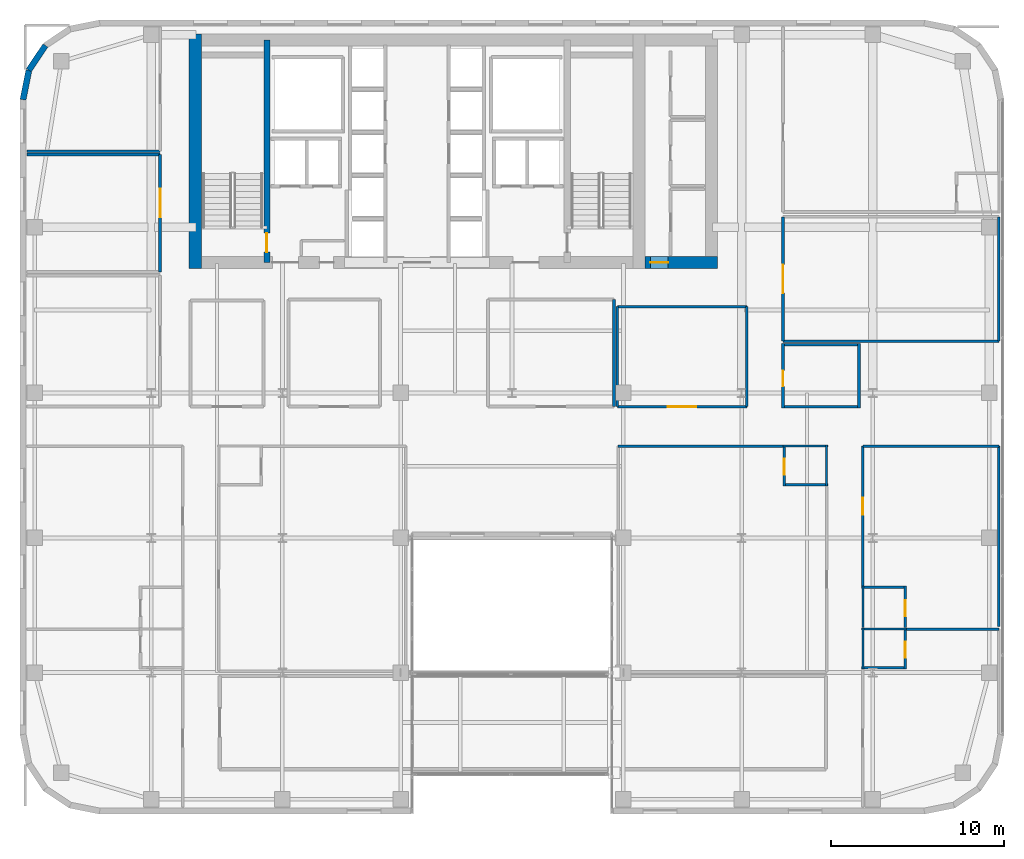
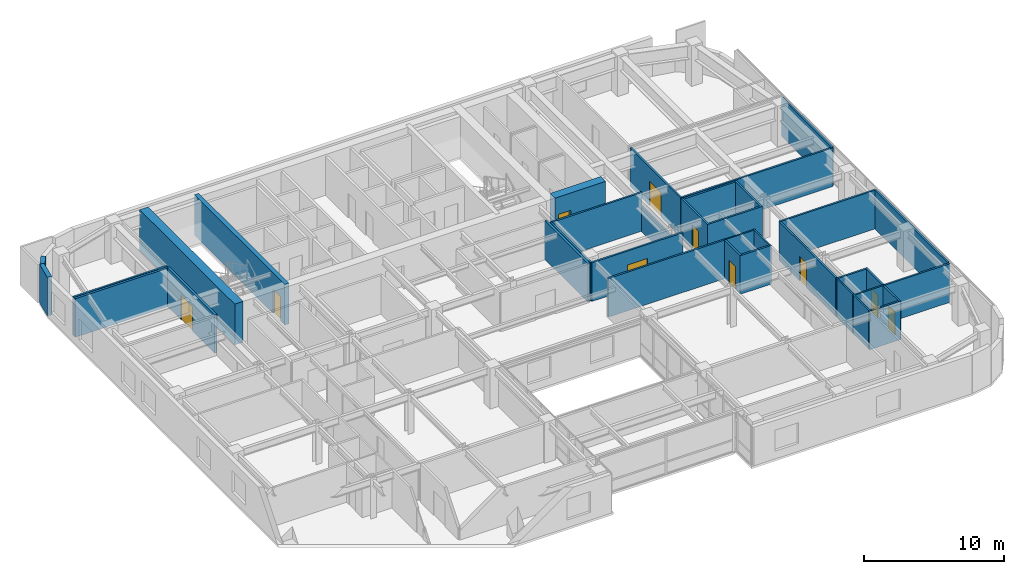
# One storey, part 20 of 25: 36 walls, 10 doors, 10 openings.
"""IFC4 building model written with IfcOpenShell, lengths in metres."""

from ifc_helpers import new_model, si_unit, direction, frame, frame_2d, origin, place, context, subcontext, project, spatial, rectangle, extrude, source, transform, mapped, material, layer, layer_set, type_object, type_shapes, element, fill, save


model = new_model("IFC4")

# Units and contexts
model_context = context("Model", 3, precision=1e-05, world=origin(), true_north=direction((0.0, 1.0)))
body_context = subcontext(model_context, "Body", "Model", "MODEL_VIEW")
ifc_project = project(units=[si_unit("LENGTHUNIT", "METRE"), si_unit("AREAUNIT", "SQUARE_METRE"), si_unit("VOLUMEUNIT", "CUBIC_METRE"), si_unit("PLANEANGLEUNIT", "RADIAN"), si_unit("MASSUNIT", "GRAM", prefix="KILO")], contexts=[model_context])

# Site, building, storey
site_placement = place(None, origin())
site = spatial("IfcSite", under=ifc_project, at=site_placement, CompositionType="ELEMENT")
building_placement = place(site_placement, origin())
building = spatial("IfcBuilding", under=site, at=building_placement, Name="Tolvann Quenvar Hotel", CompositionType="ELEMENT")
storey_placement = place(building_placement, frame((0.0, 0.0, 122.199951171875)))
storey = spatial("IfcBuildingStorey", under=building, at=storey_placement, Name="L31", CompositionType="ELEMENT", Elevation=122.199951171875)

# Wall
ifc_material_1 = material(Name="Concrete S65 (65 MPa)", Category="concrete")
ifc_layer_1 = layer(ifc_material_1, 0.699951171875)
ifc_layer_set_1 = layer_set([ifc_layer_1], Name="Concrete S65 (65 MPa)")
wall_type_1 = type_object("IfcWallType", Name="WALL_CORE_700", PredefinedType="SHEAR", material=ifc_layer_set_1)
wall_1_placement = place(storey_placement, frame((10.14990234375, 31.60009765625, 0.0), z_axis=(0.0, 0.0, 1.0), x_axis=(0.0, 1.0, 0.0)))
element("IfcWall", 1, at=wall_1_placement, inside=storey, type_object=wall_type_1, Name="Rear Core W Shear Wall (L31)", PredefinedType="SHEAR", context=body_context, shape_type="SweptSolid", body=[
    extrude(rectangle(XDim=13.599853515625, YDim=0.699951171875, at=frame_2d((6.7998046875, 0.0))), origin(), (0.0, 0.0, 1.0), 3.550048828125),
])

# Wall, opening, door
wall_2_placement = place(storey_placement, frame((36.199951171875, 31.949951171875, 0.0), z_axis=(0.0, 0.0, 1.0), x_axis=(1.0, 0.0, 0.0)))
wall_2 = element("IfcWall", 2, at=wall_2_placement, inside=storey, type_object=wall_type_1, Name="Core East Annex Shear Wall ANN-S (L31)", PredefinedType="SHEAR", context=body_context, shape_type="SweptSolid", body=[
    extrude(rectangle(XDim=4.199951171875, YDim=0.699951171875, at=frame_2d((2.10009765625, 0.0))), origin(), (0.0, 0.0, 1.0), 3.550048828125),
])
opening_1_placement = place(wall_2_placement, frame((1.340087890625, 0.0, 0.0), z_axis=(0.0, 0.0, 1.0), x_axis=(-1.0, 0.0, 0.0)))
opening_1 = element("IfcOpeningElement", 3, at=opening_1_placement, cuts=wall_2, Name="Opening HD-01", PredefinedType="OPENING", context=body_context, shape_type="SweptSolid", body=[
    extrude(rectangle(XDim=1.02001953125, YDim=2.030029296875, at=frame_2d((0.510009765625, 1.01513671875))), frame((0.0, 0.35986328125, 0.0), z_axis=(0.0, -1.0, 0.0), x_axis=(1.0, 0.0, 0.0)), (0.0, 0.0, 1.0), 0.719970703125),
])
ifc_material_2 = material(Name="Pressed galvanised steel fire-rated door set", Category="steel")
door_type_1 = type_object("IfcDoorType", Name="DOOR_BOH_1020", OperationType="NOTDEFINED", PredefinedType="DOOR", material=ifc_material_2)
shared_shape_1 = source(origin(), body_context, "Body", "SweptSolid", [
    extrude(rectangle(XDim=1.02001953125, YDim=2.030029296875, at=frame_2d((0.510009765625, 1.01513671875))), frame((0.0, 0.02490234375, 0.0), z_axis=(0.0, -1.0, 0.0), x_axis=(1.0, 0.0, 0.0)), (0.0, 0.0, 1.0), 0.050048828125),
])
type_shapes(door_type_1, [shared_shape_1])
door_1_placement = place(opening_1_placement, origin())
door_1 = element("IfcDoor", 4, at=door_1_placement, inside=storey, type_object=door_type_1, Name="Housekeeping Annex Fire Door (L31)", OperationType="SINGLE_SWING_RIGHT", OverallHeight=2.030029296875, OverallWidth=1.02001953125, PredefinedType="DOOR", context=body_context, shape_type="MappedRepresentation", body=[
    mapped(shared_shape_1, transform((0.0, 0.0, 0.0), x_axis=(1.0, 0.0, 0.0), y_axis=(0.0, 1.0, 0.0), z_axis=(0.0, 0.0, 1.0), scale=1.0)),
])
fill(opening_1, door_1)

ifc_layer_2 = layer(ifc_material_1, 0.35009765625)
ifc_layer_set_2 = layer_set([ifc_layer_2], Name="Concrete S65 (65 MPa)")
wall_type_2 = type_object("IfcWallType", Name="WALL_CORE_INT_350", PredefinedType="SHEAR", material=ifc_layer_set_2)
wall_3_placement = place(storey_placement, frame((14.300048828125, 31.949951171875, 0.0), z_axis=(0.0, 0.0, 1.0), x_axis=(0.0, 1.0, 0.0)))
wall_3 = element("IfcWall", 5, at=wall_3_placement, inside=storey, type_object=wall_type_2, Name="Core Internal Web Shear Wall WEB-W (L31)", PredefinedType="SHEAR", context=body_context, shape_type="SweptSolid", body=[
    extrude(rectangle(XDim=12.900146484375, YDim=0.35009765625, at=frame_2d((6.4501953125, 0.0))), origin(), (0.0, 0.0, 1.0), 3.550048828125),
])
opening_2_placement = place(wall_3_placement, frame((0.60009765625, 0.0, 0.0)))
opening_2 = element("IfcOpeningElement", 6, at=opening_2_placement, cuts=wall_3, Name="Opening FD-120", PredefinedType="OPENING", context=body_context, shape_type="SweptSolid", body=[
    extrude(rectangle(XDim=1.10009765625, YDim=2.1201171875, at=frame_2d((0.550048828125, 1.06005859375))), frame((0.0, 0.18505859375, 0.0), z_axis=(0.0, -1.0, 0.0), x_axis=(1.0, 0.0, 0.0)), (0.0, 0.0, 1.0), 0.3701171875),
])
door_type_2 = type_object("IfcDoorType", Name="DOOR_FIRE_STAIR_1100", OperationType="NOTDEFINED", PredefinedType="DOOR", material=ifc_material_2)
shared_shape_2 = source(origin(), body_context, "Body", "SweptSolid", [
    extrude(rectangle(XDim=1.10009765625, YDim=2.1201171875, at=frame_2d((0.550048828125, 1.06005859375))), frame((0.0, 0.02490234375, 0.0), z_axis=(0.0, -1.0, 0.0), x_axis=(1.0, 0.0, 0.0)), (0.0, 0.0, 1.0), 0.050048828125),
])
type_shapes(door_type_2, [shared_shape_2])
door_2_placement = place(opening_2_placement, origin())
door_2 = element("IfcDoor", 7, at=door_2_placement, inside=storey, type_object=door_type_2, Name="Exit Stair ST-C1 Fire Door (L31)", OperationType="SINGLE_SWING_LEFT", OverallHeight=2.1201171875, OverallWidth=1.10009765625, PredefinedType="DOOR", context=body_context, shape_type="MappedRepresentation", body=[
    mapped(shared_shape_2, transform((0.0, 0.0, 0.0), x_axis=(1.0, 0.0, 0.0), y_axis=(0.0, 1.0, 0.0), z_axis=(0.0, 0.0, 1.0), scale=1.0)),
])
fill(opening_2, door_2)

# Walls
ifc_material_3 = material(Name="Kiln-fired red and buff architectural clay brickwork and terracotta masonry", Category="masonry")
ifc_layer_3 = layer(ifc_material_3, 0.35009765625)
ifc_layer_set_3 = layer_set([ifc_layer_3], Name="Kiln-fired red and buff architectural clay brickwork and terracotta masonry")
wall_type_3 = type_object("IfcWallType", Name="WALL_EXT_BRICK_350", PredefinedType="SOLIDWALL", material=ifc_layer_set_3)
wall_4_placement = place(storey_placement, frame((1.473388671875, 44.526611328125, 0.0), z_axis=(0.0, 0.0, 1.0), x_axis=(-0.55554893791, -0.831483840845, 0.0)))
element("IfcWall", 8, at=wall_4_placement, inside=storey, type_object=wall_type_3, Name="Exterior Chicago Brick Wall L31-E21", PredefinedType="SOLIDWALL", context=body_context, shape_type="SweptSolid", body=[
    extrude(rectangle(XDim=1.725341796875, YDim=0.35009765625, at=frame_2d((0.86279296875, 0.0))), origin(), (0.0, 0.0, 1.0), 2.83203125),
])
wall_5_placement = place(storey_placement, frame((0.514892578125, 43.092041015625, 0.0), z_axis=(0.0, 0.0, 1.0), x_axis=(-0.195011420161, -0.980800971659, 0.0)))
element("IfcWall", 9, at=wall_5_placement, inside=storey, type_object=wall_type_3, Name="Exterior Chicago Brick Wall L31-E22", PredefinedType="SOLIDWALL", context=body_context, shape_type="SweptSolid", body=[
    extrude(rectangle(XDim=1.74267578125, YDim=0.35009765625, at=frame_2d((0.871337890625, 0.0))), origin(), (0.0, 0.0, 1.0), 3.3701171875),
])
ifc_material_4 = material(Name="Acoustic twin-stud fire-rated gypsum plasterboard partition")
ifc_layer_4 = layer(ifc_material_4, 0.179931640625)
ifc_layer_set_4 = layer_set([ifc_layer_4], Name="Acoustic twin-stud fire-rated gypsum plasterboard partition")
wall_type_4 = type_object("IfcWallType", Name="WALL_PART_ACOUSTIC_180", PredefinedType="PARTITIONING", material=ifc_layer_set_4)
wall_6_placement = place(storey_placement, frame((0.405029296875, 38.199951171875, 0.0), z_axis=(0.0, 0.0, 1.0), x_axis=(1.0, 0.0, 0.0)))
element("IfcWall", 10, at=wall_6_placement, inside=storey, type_object=wall_type_4, Name="Interior Partition PT-SPC-L31-MTG-N", PredefinedType="PARTITIONING", context=body_context, shape_type="SweptSolid", body=[
    extrude(rectangle(XDim=7.715087890625, YDim=0.179931640625, at=frame_2d((3.857421875, 0.0))), origin(), (0.0, 0.0, 1.0), 3.3701171875),
])

# Wall, opening, door
wall_7_placement = place(storey_placement, frame((8.1201171875, 31.39990234375, 0.0), z_axis=(0.0, 0.0, 1.0), x_axis=(0.0, 1.0, 0.0)))
wall_7 = element("IfcWall", 11, at=wall_7_placement, inside=storey, type_object=wall_type_4, Name="Interior Partition PT-SPC-L31-MTG-E", PredefinedType="PARTITIONING", context=body_context, shape_type="SweptSolid", body=[
    extrude(rectangle(XDim=6.800048828125, YDim=0.179931640625, at=frame_2d((3.39990234375, 0.0))), origin(), (0.0, 0.0, 1.0), 3.3701171875),
])
opening_3_placement = place(wall_7_placement, frame((3.175048828125, 0.0, 0.0)))
opening_3 = element("IfcOpeningElement", 12, at=opening_3_placement, cuts=wall_7, Name="Opening AD-01", PredefinedType="OPENING", context=body_context, shape_type="SweptSolid", body=[
    extrude(rectangle(XDim=1.64990234375, YDim=2.14990234375, at=frame_2d((0.824951171875, 1.074951171875))), frame((0.0, 0.10009765625, 0.0), z_axis=(0.0, -1.0, 0.0), x_axis=(1.0, 0.0, 0.0)), (0.0, 0.0, 1.0), 0.199951171875),
])
ifc_material_5 = material(Name="Solid-core American oak acoustic fire door leaf in steel frame", Category="steel")
door_type_3 = type_object("IfcDoorType", Name="DOOR_SALON_1650", OperationType="NOTDEFINED", PredefinedType="DOOR", material=ifc_material_5)
shared_shape_3 = source(origin(), body_context, "Body", "SweptSolid", [
    extrude(rectangle(XDim=1.64990234375, YDim=2.14990234375, at=frame_2d((0.824951171875, 1.074951171875))), frame((0.0, 0.02490234375, 0.0), z_axis=(0.0, -1.0, 0.0), x_axis=(1.0, 0.0, 0.0)), (0.0, 0.0, 1.0), 0.050048828125),
])
type_shapes(door_type_3, [shared_shape_3])
door_3_placement = place(opening_3_placement, origin())
door_3 = element("IfcDoor", 13, at=door_3_placement, inside=storey, type_object=door_type_3, Name="Interior Door DOOR-SPC-L31-MTG", OperationType="DOUBLE_DOOR_SINGLE_SWING", OverallHeight=2.14990234375, OverallWidth=1.64990234375, PredefinedType="DOOR", context=body_context, shape_type="MappedRepresentation", body=[
    mapped(shared_shape_3, transform((0.0, 0.0, 0.0), x_axis=(1.0, 0.0, 0.0), y_axis=(0.0, 1.0, 0.0), z_axis=(0.0, 0.0, 1.0), scale=1.0)),
])
fill(opening_3, door_3)

# Walls
wall_8_placement = place(storey_placement, frame((34.39990234375, 23.60009765625, 0.0), z_axis=(0.0, 0.0, 1.0), x_axis=(0.0, 1.0, 0.0)))
element("IfcWall", 14, at=wall_8_placement, inside=storey, type_object=wall_type_4, Name="Interior Partition PT-SPC-L31-MSP-C-E", PredefinedType="PARTITIONING", context=body_context, shape_type="SweptSolid", body=[
    extrude(rectangle(XDim=6.199951171875, YDim=0.179931640625, at=frame_2d((3.10009765625, 0.0))), origin(), (0.0, 0.0, 1.0), 3.3701171875),
])
ifc_material_6 = material(Name="Moisture-resistant acoustic plumbing wall assembly")
ifc_layer_5 = layer(ifc_material_6, 0.1201171875)
ifc_layer_set_5 = layer_set([ifc_layer_5], Name="Moisture-resistant acoustic plumbing wall assembly")
wall_type_5 = type_object("IfcWallType", Name="WALL_PART_BATH_120", PredefinedType="PLUMBINGWALL", material=ifc_layer_set_5)
wall_9_placement = place(storey_placement, frame((44.2099609375, 21.320068359375, 0.0), z_axis=(0.0, 0.0, 1.0), x_axis=(1.0, 0.0, 0.0)))
element("IfcWall", 15, at=wall_9_placement, inside=storey, type_object=wall_type_5, Name="Non-Rated Plumbing Partition PT-SPC-L31-ENS-EI01-N", PredefinedType="PLUMBINGWALL", context=body_context, shape_type="SweptSolid", body=[
    extrude(rectangle(XDim=2.590087890625, YDim=0.1201171875, at=frame_2d((1.294921875, 0.0))), origin(), (0.0, 0.0, 1.0), 3.3701171875),
])
wall_10_placement = place(storey_placement, frame((46.72998046875, 19.0, 0.0), z_axis=(0.0, 0.0, 1.0), x_axis=(0.0, 1.0, 0.0)))
element("IfcWall", 16, at=wall_10_placement, inside=storey, type_object=wall_type_5, Name="Non-Rated Plumbing Partition PT-SPC-L31-ENS-EI01-E", PredefinedType="PLUMBINGWALL", context=body_context, shape_type="SweptSolid", body=[
    extrude(rectangle(XDim=2.389892578125, YDim=0.1201171875, at=frame_2d((1.19482421875, 0.0))), origin(), (0.0, 0.0, 1.0), 3.3701171875),
])
wall_11_placement = place(storey_placement, frame((48.75, 10.719970703125, 0.0), z_axis=(0.0, 0.0, 1.0), x_axis=(1.0, 0.0, 0.0)))
element("IfcWall", 17, at=wall_11_placement, inside=storey, type_object=wall_type_5, Name="Non-Rated Plumbing Partition PT-SPC-L31-ENS-EO01-N", PredefinedType="PLUMBINGWALL", context=body_context, shape_type="SweptSolid", body=[
    extrude(rectangle(XDim=2.590087890625, YDim=0.1201171875, at=frame_2d((1.294921875, 0.0))), origin(), (0.0, 0.0, 1.0), 3.3701171875),
])
wall_12_placement = place(storey_placement, frame((48.820068359375, 8.39990234375, 0.0), z_axis=(0.0, 0.0, 1.0), x_axis=(0.0, 1.0, 0.0)))
element("IfcWall", 18, at=wall_12_placement, inside=storey, type_object=wall_type_5, Name="Non-Rated Plumbing Partition PT-SPC-L31-ENS-EO01-W", PredefinedType="PLUMBINGWALL", context=body_context, shape_type="SweptSolid", body=[
    extrude(rectangle(XDim=2.39013671875, YDim=0.1201171875, at=frame_2d((1.195068359375, 0.0))), origin(), (0.0, 0.0, 1.0), 3.3701171875),
])
wall_13_placement = place(storey_placement, frame((48.820068359375, 10.81005859375, 0.0), z_axis=(0.0, 0.0, 1.0), x_axis=(0.0, 1.0, 0.0)))
element("IfcWall", 19, at=wall_13_placement, inside=storey, type_object=wall_type_5, Name="Non-Rated Plumbing Partition PT-SPC-L31-ENS-EO02-W", PredefinedType="PLUMBINGWALL", context=body_context, shape_type="SweptSolid", body=[
    extrude(rectangle(XDim=2.389892578125, YDim=0.1201171875, at=frame_2d((1.19482421875, 0.0))), origin(), (0.0, 0.0, 1.0), 3.3701171875),
])

# Wall, opening, door
ifc_layer_6 = layer(ifc_material_4, 0.14990234375)
ifc_layer_set_6 = layer_set([ifc_layer_6], Name="Acoustic twin-stud fire-rated gypsum plasterboard partition")
wall_type_6 = type_object("IfcWallType", Name="WALL_PART_SUITE_150", PredefinedType="PARTITIONING", material=ifc_layer_set_6)
wall_14_placement = place(storey_placement, frame((44.280029296875, 19.0, 0.0), z_axis=(0.0, 0.0, 1.0), x_axis=(0.0, 1.0, 0.0)))
wall_14 = element("IfcWall", 20, at=wall_14_placement, inside=storey, type_object=wall_type_6, Name="Interior Partition PT-SPC-L31-ENS-EI01-ENT", PredefinedType="PARTITIONING", context=body_context, shape_type="SweptSolid", body=[
    extrude(rectangle(XDim=2.389892578125, YDim=0.14990234375, at=frame_2d((1.19482421875, 0.0))), origin(), (0.0, 0.0, 1.0), 3.3701171875),
])
opening_4_placement = place(wall_14_placement, frame((0.6650390625, 0.0, 0.0)))
opening_4 = element("IfcOpeningElement", 21, at=opening_4_placement, cuts=wall_14, Name="Opening WD-01", PredefinedType="OPENING", context=body_context, shape_type="SweptSolid", body=[
    extrude(rectangle(XDim=0.919921875, YDim=2.010009765625, at=frame_2d((0.4599609375, 1.0048828125))), frame((0.0, 0.0849609375, 0.0), z_axis=(0.0, -1.0, 0.0), x_axis=(1.0, 0.0, 0.0)), (0.0, 0.0, 1.0), 0.169921875),
])
door_type_4 = type_object("IfcDoorType", Name="DOOR_WC_920", OperationType="NOTDEFINED", PredefinedType="DOOR", material=ifc_material_5)
shared_shape_4 = source(origin(), body_context, "Body", "SweptSolid", [
    extrude(rectangle(XDim=0.919921875, YDim=2.010009765625, at=frame_2d((0.4599609375, 1.0048828125))), frame((0.0, 0.02490234375, 0.0), z_axis=(0.0, -1.0, 0.0), x_axis=(1.0, 0.0, 0.0)), (0.0, 0.0, 1.0), 0.050048828125),
])
type_shapes(door_type_4, [shared_shape_4])
door_4_placement = place(opening_4_placement, origin())
door_4 = element("IfcDoor", 22, at=door_4_placement, inside=storey, type_object=door_type_4, Name="Interior Door DOOR-SPC-L31-ENS-EI01", OperationType="SINGLE_SWING_RIGHT", OverallHeight=2.010009765625, OverallWidth=0.919921875, PredefinedType="DOOR", context=body_context, shape_type="MappedRepresentation", body=[
    mapped(shared_shape_4, transform((0.0, 0.0, 0.0), x_axis=(1.0, 0.0, 0.0), y_axis=(0.0, 1.0, 0.0), z_axis=(0.0, 0.0, 1.0), scale=1.0)),
])
fill(opening_4, door_4)

# Wall
wall_15_placement = place(storey_placement, frame((44.2099609375, 19.070068359375, 0.0), z_axis=(0.0, 0.0, 1.0), x_axis=(1.0, 0.0, 0.0)))
element("IfcWall", 23, at=wall_15_placement, inside=storey, type_object=wall_type_6, Name="Interior Partition PT-SPC-L31-ENS-EI01-S", PredefinedType="PARTITIONING", context=body_context, shape_type="SweptSolid", body=[
    extrude(rectangle(XDim=2.590087890625, YDim=0.14990234375, at=frame_2d((1.294921875, 0.0))), origin(), (0.0, 0.0, 1.0), 3.3701171875),
])

# Wall, opening, door
wall_16_placement = place(storey_placement, frame((51.27001953125, 8.39990234375, 0.0), z_axis=(0.0, 0.0, 1.0), x_axis=(0.0, 1.0, 0.0)))
wall_16 = element("IfcWall", 24, at=wall_16_placement, inside=storey, type_object=wall_type_6, Name="Interior Partition PT-SPC-L31-ENS-EO01-ENT", PredefinedType="PARTITIONING", context=body_context, shape_type="SweptSolid", body=[
    extrude(rectangle(XDim=2.39013671875, YDim=0.14990234375, at=frame_2d((1.195068359375, 0.0))), origin(), (0.0, 0.0, 1.0), 3.3701171875),
])
opening_5_placement = place(wall_16_placement, frame((0.6650390625, 0.0, 0.0)))
opening_5 = element("IfcOpeningElement", 25, at=opening_5_placement, cuts=wall_16, Name="Opening WD-01", PredefinedType="OPENING", context=body_context, shape_type="SweptSolid", body=[
    extrude(rectangle(XDim=0.919921875, YDim=2.010009765625, at=frame_2d((0.4599609375, 1.0048828125))), frame((0.0, 0.0849609375, 0.0), z_axis=(0.0, -1.0, 0.0), x_axis=(1.0, 0.0, 0.0)), (0.0, 0.0, 1.0), 0.169921875),
])
door_5_placement = place(opening_5_placement, origin())
door_5 = element("IfcDoor", 26, at=door_5_placement, inside=storey, type_object=door_type_4, Name="Interior Door DOOR-SPC-L31-ENS-EO01", OperationType="SINGLE_SWING_LEFT", OverallHeight=2.010009765625, OverallWidth=0.919921875, PredefinedType="DOOR", context=body_context, shape_type="MappedRepresentation", body=[
    mapped(shared_shape_4, transform((0.0, 0.0, 0.0), x_axis=(1.0, 0.0, 0.0), y_axis=(0.0, 1.0, 0.0), z_axis=(0.0, 0.0, 1.0), scale=1.0)),
])
fill(opening_5, door_5)

# Wall
wall_17_placement = place(storey_placement, frame((48.75, 8.469970703125, 0.0), z_axis=(0.0, 0.0, 1.0), x_axis=(1.0, 0.0, 0.0)))
element("IfcWall", 27, at=wall_17_placement, inside=storey, type_object=wall_type_6, Name="Interior Partition PT-SPC-L31-ENS-EO01-S", PredefinedType="PARTITIONING", context=body_context, shape_type="SweptSolid", body=[
    extrude(rectangle(XDim=2.590087890625, YDim=0.14990234375, at=frame_2d((1.294921875, 0.0))), origin(), (0.0, 0.0, 1.0), 3.3701171875),
])

# Wall, opening, door
wall_18_placement = place(storey_placement, frame((51.27001953125, 10.81005859375, 0.0), z_axis=(0.0, 0.0, 1.0), x_axis=(0.0, 1.0, 0.0)))
wall_18 = element("IfcWall", 28, at=wall_18_placement, inside=storey, type_object=wall_type_6, Name="Interior Partition PT-SPC-L31-ENS-EO02-ENT", PredefinedType="PARTITIONING", context=body_context, shape_type="SweptSolid", body=[
    extrude(rectangle(XDim=2.389892578125, YDim=0.14990234375, at=frame_2d((1.19482421875, 0.0))), origin(), (0.0, 0.0, 1.0), 3.3701171875),
])
opening_6_placement = place(wall_18_placement, frame((0.6650390625, 0.0, 0.0)))
opening_6 = element("IfcOpeningElement", 29, at=opening_6_placement, cuts=wall_18, Name="Opening WD-01", PredefinedType="OPENING", context=body_context, shape_type="SweptSolid", body=[
    extrude(rectangle(XDim=0.919921875, YDim=2.010009765625, at=frame_2d((0.4599609375, 1.0048828125))), frame((0.0, 0.0849609375, 0.0), z_axis=(0.0, -1.0, 0.0), x_axis=(1.0, 0.0, 0.0)), (0.0, 0.0, 1.0), 0.169921875),
])
door_6_placement = place(opening_6_placement, origin())
door_6 = element("IfcDoor", 30, at=door_6_placement, inside=storey, type_object=door_type_4, Name="Interior Door DOOR-SPC-L31-ENS-EO02", OperationType="SINGLE_SWING_RIGHT", OverallHeight=2.010009765625, OverallWidth=0.919921875, PredefinedType="DOOR", context=body_context, shape_type="MappedRepresentation", body=[
    mapped(shared_shape_4, transform((0.0, 0.0, 0.0), x_axis=(1.0, 0.0, 0.0), y_axis=(0.0, 1.0, 0.0), z_axis=(0.0, 0.0, 1.0), scale=1.0)),
])
fill(opening_6, door_6)

# Walls
wall_19_placement = place(storey_placement, frame((48.75, 13.1298828125, 0.0), z_axis=(0.0, 0.0, 1.0), x_axis=(1.0, 0.0, 0.0)))
element("IfcWall", 31, at=wall_19_placement, inside=storey, type_object=wall_type_6, Name="Interior Partition PT-SPC-L31-ENS-EO02-N", PredefinedType="PARTITIONING", context=body_context, shape_type="SweptSolid", body=[
    extrude(rectangle(XDim=2.590087890625, YDim=0.14990234375, at=frame_2d((1.294921875, 0.0))), origin(), (0.0, 0.0, 1.0), 3.3701171875),
])
wall_20_placement = place(storey_placement, frame((34.64990234375, 21.320068359375, 0.0), z_axis=(0.0, 0.0, 1.0), x_axis=(1.0, 0.0, 0.0)))
element("IfcWall", 32, at=wall_20_placement, inside=storey, type_object=wall_type_6, Name="Interior Partition PT-SPC-L31-RM-EI01-E5", PredefinedType="PARTITIONING", context=body_context, shape_type="SweptSolid", body=[
    extrude(rectangle(XDim=9.610107421875, YDim=0.14990234375, at=frame_2d((4.80517578125, 0.0))), origin(), (0.0, 0.0, 1.0), 3.3701171875),
])
wall_21_placement = place(storey_placement, frame((51.2900390625, 10.719970703125, 0.0), z_axis=(0.0, 0.0, 1.0), x_axis=(1.0, 0.0, 0.0)))
element("IfcWall", 33, at=wall_21_placement, inside=storey, type_object=wall_type_6, Name="Interior Partition PT-SPC-L31-RM-EO01-E3", PredefinedType="PARTITIONING", context=body_context, shape_type="SweptSolid", body=[
    extrude(rectangle(XDim=5.409912109375, YDim=0.14990234375, at=frame_2d((2.705078125, 0.0))), origin(), (0.0, 0.0, 1.0), 3.3701171875),
])

# Wall, opening, door
wall_22_placement = place(storey_placement, frame((48.820068359375, 13.2099609375, 0.0), z_axis=(0.0, 0.0, 1.0), x_axis=(0.0, 1.0, 0.0)))
wall_22 = element("IfcWall", 34, at=wall_22_placement, inside=storey, type_object=wall_type_6, Name="Interior Partition PT-SPC-L31-RM-EO02-ENT", PredefinedType="PARTITIONING", context=body_context, shape_type="SweptSolid", body=[
    extrude(rectangle(XDim=8.110107421875, YDim=0.14990234375, at=frame_2d((4.05517578125, 0.0))), origin(), (0.0, 0.0, 1.0), 3.3701171875),
])
opening_7_placement = place(wall_22_placement, frame((4.14501953125, 0.0, 0.0)))
opening_7 = element("IfcOpeningElement", 35, at=opening_7_placement, cuts=wall_22, Name="Opening SD-01", PredefinedType="OPENING", context=body_context, shape_type="SweptSolid", body=[
    extrude(rectangle(XDim=0.97998046875, YDim=2.1201171875, at=frame_2d((0.489990234375, 1.06005859375))), frame((0.0, 0.0849609375, 0.0), z_axis=(0.0, -1.0, 0.0), x_axis=(1.0, 0.0, 0.0)), (0.0, 0.0, 1.0), 0.169921875),
])
door_type_5 = type_object("IfcDoorType", Name="DOOR_SUITE_980", OperationType="NOTDEFINED", PredefinedType="DOOR", material=ifc_material_5)
shared_shape_5 = source(origin(), body_context, "Body", "SweptSolid", [
    extrude(rectangle(XDim=0.97998046875, YDim=2.1201171875, at=frame_2d((0.489990234375, 1.06005859375))), frame((0.0, 0.02490234375, 0.0), z_axis=(0.0, -1.0, 0.0), x_axis=(1.0, 0.0, 0.0)), (0.0, 0.0, 1.0), 0.050048828125),
])
type_shapes(door_type_5, [shared_shape_5])
door_7_placement = place(opening_7_placement, origin())
door_7 = element("IfcDoor", 36, at=door_7_placement, inside=storey, type_object=door_type_5, Name="Interior Door DOOR-SPC-L31-RM-EO02", OperationType="SINGLE_SWING_RIGHT", OverallHeight=2.1201171875, OverallWidth=0.97998046875, PredefinedType="DOOR", context=body_context, shape_type="MappedRepresentation", body=[
    mapped(shared_shape_5, transform((0.0, 0.0, 0.0), x_axis=(1.0, 0.0, 0.0), y_axis=(0.0, 1.0, 0.0), z_axis=(0.0, 0.0, 1.0), scale=1.0)),
])
fill(opening_7, door_7)

# Walls
wall_23_placement = place(storey_placement, frame((56.699951171875, 10.8798828125, 0.0), z_axis=(0.0, 0.0, 1.0), x_axis=(0.0, 1.0, 0.0)))
element("IfcWall", 37, at=wall_23_placement, inside=storey, type_object=wall_type_6, Name="Interior Partition PT-SPC-L31-RM-EO02-E4", PredefinedType="PARTITIONING", context=body_context, shape_type="SweptSolid", body=[
    extrude(rectangle(XDim=10.440185546875, YDim=0.14990234375, at=frame_2d((5.22021484375, 0.0))), origin(), (0.0, 0.0, 1.0), 3.3701171875),
])
wall_24_placement = place(storey_placement, frame((48.820068359375, 21.320068359375, 0.0), z_axis=(0.0, 0.0, 1.0), x_axis=(1.0, 0.0, 0.0)))
element("IfcWall", 38, at=wall_24_placement, inside=storey, type_object=wall_type_6, Name="Interior Partition PT-SPC-L31-RM-EO02-E5", PredefinedType="PARTITIONING", context=body_context, shape_type="SweptSolid", body=[
    extrude(rectangle(XDim=7.8798828125, YDim=0.14990234375, at=frame_2d((3.93994140625, 0.0))), origin(), (0.0, 0.0, 1.0), 3.3701171875),
])
wall_25_placement = place(storey_placement, frame((0.405029296875, 38.39990234375, 0.0), z_axis=(0.0, 0.0, 1.0), x_axis=(1.0, 0.0, 0.0)))
element("IfcWall", 39, at=wall_25_placement, inside=storey, type_object=wall_type_6, Name="Interior Partition PT-SPC-L31-TEA-S", PredefinedType="PARTITIONING", context=body_context, shape_type="SweptSolid", body=[
    extrude(rectangle(XDim=7.715087890625, YDim=0.14990234375, at=frame_2d((3.857421875, 0.0))), origin(), (0.0, 0.0, 1.0), 3.3701171875),
])

# Wall, opening, door
wall_26_placement = place(storey_placement, frame((44.199951171875, 23.530029296875, 0.0), z_axis=(0.0, 0.0, 1.0), x_axis=(0.0, 1.0, 0.0)))
wall_26 = element("IfcWall", 40, at=wall_26_placement, inside=storey, type_object=wall_type_6, Name="Interior Partition PT-SPC-L31-WCA-ENT", PredefinedType="PARTITIONING", context=body_context, shape_type="SweptSolid", body=[
    extrude(rectangle(XDim=3.739990234375, YDim=0.14990234375, at=frame_2d((1.8701171875, 0.0))), origin(), (0.0, 0.0, 1.0), 3.3701171875),
])
opening_8_placement = place(wall_26_placement, frame((1.239990234375, 0.0, 0.0)))
opening_8 = element("IfcOpeningElement", 41, at=opening_8_placement, cuts=wall_26, Name="Opening WD-01", PredefinedType="OPENING", context=body_context, shape_type="SweptSolid", body=[
    extrude(rectangle(XDim=0.919921875, YDim=2.010009765625, at=frame_2d((0.4599609375, 1.0048828125))), frame((0.0, 0.0849609375, 0.0), z_axis=(0.0, -1.0, 0.0), x_axis=(1.0, 0.0, 0.0)), (0.0, 0.0, 1.0), 0.169921875),
])
door_8_placement = place(opening_8_placement, origin())
door_8 = element("IfcDoor", 42, at=door_8_placement, inside=storey, type_object=door_type_4, Name="Interior Door DOOR-SPC-L31-WCA", OperationType="SINGLE_SWING_LEFT", OverallHeight=2.010009765625, OverallWidth=0.919921875, PredefinedType="DOOR", context=body_context, shape_type="MappedRepresentation", body=[
    mapped(shared_shape_4, transform((0.0, 0.0, 0.0), x_axis=(1.0, 0.0, 0.0), y_axis=(0.0, 1.0, 0.0), z_axis=(0.0, 0.0, 1.0), scale=1.0)),
])
fill(opening_8, door_8)

# Walls
for number, where, z_axis, x_axis, name in (
    (43, (44.1298828125, 23.60009765625, 0.0), (0.0, 0.0, 1.0), (1.0, 0.0, 0.0), "Interior Partition PT-SPC-L31-WCA-S"),
    (44, (44.1298828125, 27.199951171875, 0.0), (0.0, 0.0, 1.0), (1.0, 0.0, 0.0), "Interior Partition PT-SPC-L31-WCA-N"),
):
    element("IfcWall", number, at=place(storey_placement, frame(where, z_axis=z_axis, x_axis=x_axis)), inside=storey, type_object=wall_type_6, Name=name, PredefinedType="PARTITIONING", context=body_context, shape_type="SweptSolid", body=[
        extrude(rectangle(XDim=4.5400390625, YDim=0.14990234375, at=frame_2d((2.27001953125, 0.0))), origin(), (0.0, 0.0, 1.0), 3.3701171875),
    ])
wall_27_placement = place(storey_placement, frame((48.60009765625, 23.530029296875, 0.0), z_axis=(0.0, 0.0, 1.0), x_axis=(0.0, 1.0, 0.0)))
element("IfcWall", 45, at=wall_27_placement, inside=storey, type_object=wall_type_6, Name="Interior Partition PT-SPC-L31-WCA-E", PredefinedType="PARTITIONING", context=body_context, shape_type="SweptSolid", body=[
    extrude(rectangle(XDim=3.739990234375, YDim=0.14990234375, at=frame_2d((1.8701171875, 0.0))), origin(), (0.0, 0.0, 1.0), 3.3701171875),
])
wall_28_placement = place(storey_placement, frame((44.199951171875, 27.39990234375, 0.0), z_axis=(0.0, 0.0, 1.0), x_axis=(1.0, 0.0, 0.0)))
element("IfcWall", 46, at=wall_28_placement, inside=storey, type_object=wall_type_6, Name="Interior Partition PT-SPC-L31-SPA-S", PredefinedType="PARTITIONING", context=body_context, shape_type="SweptSolid", body=[
    extrude(rectangle(XDim=12.5, YDim=0.14990234375, at=frame_2d((6.25, 0.0))), origin(), (0.0, 0.0, 1.0), 3.3701171875),
])

# Wall, opening, door
wall_29_placement = place(storey_placement, frame((44.199951171875, 27.39990234375, 0.0), z_axis=(0.0, 0.0, 1.0), x_axis=(0.0, 1.0, 0.0)))
wall_29 = element("IfcWall", 47, at=wall_29_placement, inside=storey, type_object=wall_type_6, Name="Interior Partition PT-SPC-L31-SPA-W", PredefinedType="PARTITIONING", context=body_context, shape_type="SweptSolid", body=[
    extrude(rectangle(XDim=7.2001953125, YDim=0.14990234375, at=frame_2d((3.60009765625, 0.0))), origin(), (0.0, 0.0, 1.0), 3.3701171875),
])
opening_9_placement = place(wall_29_placement, frame((2.77490234375, 0.0, 0.0)))
opening_9 = element("IfcOpeningElement", 48, at=opening_9_placement, cuts=wall_29, Name="Opening AD-01", PredefinedType="OPENING", context=body_context, shape_type="SweptSolid", body=[
    extrude(rectangle(XDim=1.64990234375, YDim=2.14990234375, at=frame_2d((0.824951171875, 1.074951171875))), frame((0.0, 0.0849609375, 0.0), z_axis=(0.0, -1.0, 0.0), x_axis=(1.0, 0.0, 0.0)), (0.0, 0.0, 1.0), 0.169921875),
])
door_9_placement = place(opening_9_placement, origin())
door_9 = element("IfcDoor", 49, at=door_9_placement, inside=storey, type_object=door_type_3, Name="Interior Door DOOR-SPC-L31-SPA", OperationType="DOUBLE_DOOR_SINGLE_SWING", OverallHeight=2.14990234375, OverallWidth=1.64990234375, PredefinedType="DOOR", context=body_context, shape_type="MappedRepresentation", body=[
    mapped(shared_shape_3, transform((0.0, 0.0, 0.0), x_axis=(1.0, 0.0, 0.0), y_axis=(0.0, 1.0, 0.0), z_axis=(0.0, 0.0, 1.0), scale=1.0)),
])
fill(opening_9, door_9)

# Wall
wall_30_placement = place(storey_placement, frame((56.699951171875, 27.39990234375, 0.0), z_axis=(0.0, 0.0, 1.0), x_axis=(0.0, 1.0, 0.0)))
element("IfcWall", 50, at=wall_30_placement, inside=storey, type_object=wall_type_6, Name="Interior Partition PT-SPC-L31-SPA-E", PredefinedType="PARTITIONING", context=body_context, shape_type="SweptSolid", body=[
    extrude(rectangle(XDim=7.2001953125, YDim=0.14990234375, at=frame_2d((3.60009765625, 0.0))), origin(), (0.0, 0.0, 1.0), 3.3701171875),
])

# Wall, opening, door
wall_31_placement = place(storey_placement, frame((34.60009765625, 23.60009765625, 0.0), z_axis=(0.0, 0.0, 1.0), x_axis=(1.0, 0.0, 0.0)))
wall_31 = element("IfcWall", 51, at=wall_31_placement, inside=storey, type_object=wall_type_6, Name="Interior Partition PT-SPC-L31-MSP-E-S", PredefinedType="PARTITIONING", context=body_context, shape_type="SweptSolid", body=[
    extrude(rectangle(XDim=7.5, YDim=0.14990234375, at=frame_2d((3.75, 0.0))), origin(), (0.0, 0.0, 1.0), 3.3701171875),
])
opening_10_placement = place(wall_31_placement, frame((2.925048828125, 0.0, 0.0)))
opening_10 = element("IfcOpeningElement", 52, at=opening_10_placement, cuts=wall_31, Name="Opening AD-01", PredefinedType="OPENING", context=body_context, shape_type="SweptSolid", body=[
    extrude(rectangle(XDim=1.64990234375, YDim=2.14990234375, at=frame_2d((0.824951171875, 1.074951171875))), frame((0.0, 0.0849609375, 0.0), z_axis=(0.0, -1.0, 0.0), x_axis=(1.0, 0.0, 0.0)), (0.0, 0.0, 1.0), 0.169921875),
])
door_10_placement = place(opening_10_placement, origin())
door_10 = element("IfcDoor", 53, at=door_10_placement, inside=storey, type_object=door_type_3, Name="Interior Door DOOR-SPC-L31-MSP-E", OperationType="DOUBLE_DOOR_SINGLE_SWING", OverallHeight=2.14990234375, OverallWidth=1.64990234375, PredefinedType="DOOR", context=body_context, shape_type="MappedRepresentation", body=[
    mapped(shared_shape_3, transform((0.0, 0.0, 0.0), x_axis=(1.0, 0.0, 0.0), y_axis=(0.0, 1.0, 0.0), z_axis=(0.0, 0.0, 1.0), scale=1.0)),
])
fill(opening_10, door_10)

# Walls
wall_32_placement = place(storey_placement, frame((34.60009765625, 29.39990234375, 0.0), z_axis=(0.0, 0.0, 1.0), x_axis=(1.0, 0.0, 0.0)))
element("IfcWall", 54, at=wall_32_placement, inside=storey, type_object=wall_type_6, Name="Interior Partition PT-SPC-L31-MSP-E-N", PredefinedType="PARTITIONING", context=body_context, shape_type="SweptSolid", body=[
    extrude(rectangle(XDim=7.5, YDim=0.14990234375, at=frame_2d((3.75, 0.0))), origin(), (0.0, 0.0, 1.0), 3.3701171875),
])
wall_33_placement = place(storey_placement, frame((34.60009765625, 23.60009765625, 0.0), z_axis=(0.0, 0.0, 1.0), x_axis=(0.0, 1.0, 0.0)))
element("IfcWall", 55, at=wall_33_placement, inside=storey, type_object=wall_type_6, Name="Interior Partition PT-SPC-L31-MSP-E-W", PredefinedType="PARTITIONING", context=body_context, shape_type="SweptSolid", body=[
    extrude(rectangle(XDim=5.7998046875, YDim=0.14990234375, at=frame_2d((2.89990234375, 0.0))), origin(), (0.0, 0.0, 1.0), 3.3701171875),
])
wall_34_placement = place(storey_placement, frame((42.10009765625, 23.60009765625, 0.0), z_axis=(0.0, 0.0, 1.0), x_axis=(0.0, 1.0, 0.0)))
element("IfcWall", 56, at=wall_34_placement, inside=storey, type_object=wall_type_6, Name="Interior Partition PT-SPC-L31-MSP-E-E", PredefinedType="PARTITIONING", context=body_context, shape_type="SweptSolid", body=[
    extrude(rectangle(XDim=5.7998046875, YDim=0.14990234375, at=frame_2d((2.89990234375, 0.0))), origin(), (0.0, 0.0, 1.0), 2.16015625),
])

save(model, "model.ifc")
